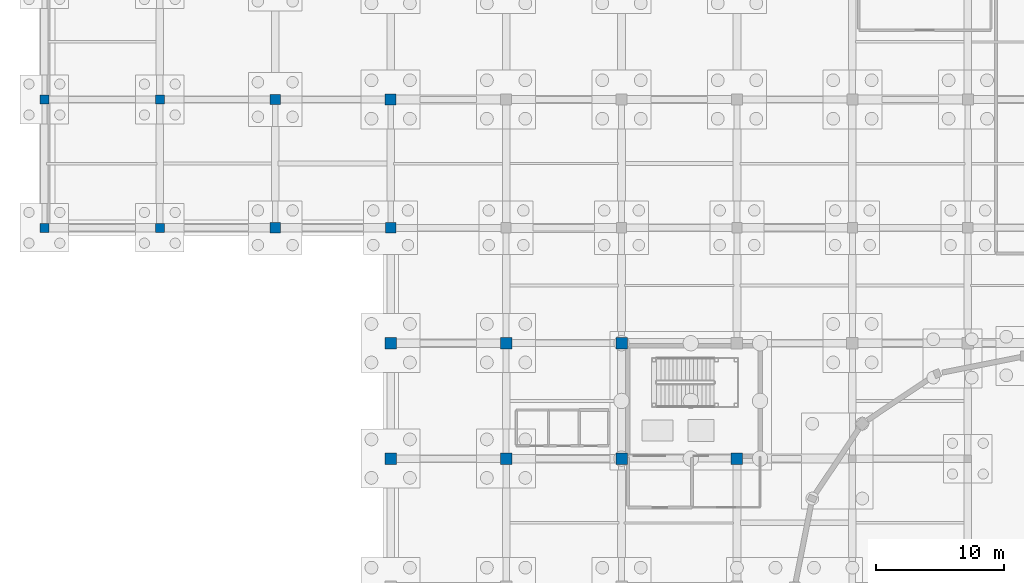
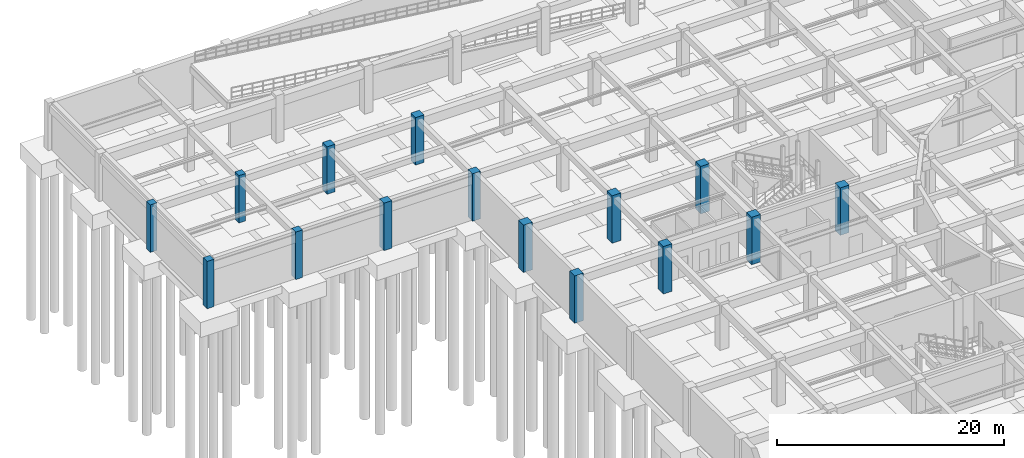
# One storey, part 19 of 62: 15 columns.
"""IFC4 building model written with IfcOpenShell, lengths in metres."""

from ifc_helpers import new_model, si_unit, direction, frame, origin, origin_2d, place, context, subcontext, project, spatial, rectangle, extrude, material, material_profile, profile_set, type_object, element, save


model = new_model("IFC4")

# Units and contexts
model_context = context("Model", 3, precision=1e-05, world=origin(), true_north=direction((0.0, 1.0)))
body_context = subcontext(model_context, "Body", "Model", "MODEL_VIEW")
ifc_project = project(units=[si_unit("LENGTHUNIT", "METRE"), si_unit("AREAUNIT", "SQUARE_METRE"), si_unit("VOLUMEUNIT", "CUBIC_METRE"), si_unit("PLANEANGLEUNIT", "RADIAN"), si_unit("MASSUNIT", "GRAM", prefix="KILO")], contexts=[model_context])

# Site, building, storey
site_placement = place(None, origin())
site = spatial("IfcSite", under=ifc_project, at=site_placement, CompositionType="ELEMENT")
building_placement = place(site_placement, origin())
building = spatial("IfcBuilding", under=site, at=building_placement, Name="Miravela Opera House", CompositionType="ELEMENT")
storey_placement = place(building_placement, frame((0.0, 0.0, -5.10009765625)))
storey = spatial("IfcBuildingStorey", under=building, at=storey_placement, Name="B01", CompositionType="ELEMENT", Elevation=-5.10009765625)

# Columns
ifc_material_1 = material(Name="Concrete C35/45", Category="concrete")
ifc_material_profile_1 = material_profile(ifc_material_1, rectangle(XDim=0.699951171875, YDim=0.699951171875, at=origin_2d()), Name="RC-COL-700X700")
ifc_profile_set_1 = profile_set([ifc_material_profile_1])
column_type_1 = type_object("IfcColumnType", Name="STR-COL-RC700", PredefinedType="COLUMN", material=ifc_profile_set_1)
for number, where, z_axis, x_axis, name in (
    (1, (0.0, 84.0, 0.0), (0.0, 0.0, 1.0), (1.0, 0.0, 0.0), "Column C-1J (B01)"),
    (2, (0.0, 94.0, 0.0), (0.0, 0.0, 1.0), (1.0, 0.0, 0.0), "Column C-1K (B01)"),
    (3, (9.0, 84.0, 0.0), (0.0, 0.0, 1.0), (1.0, 0.0, 0.0), "Column C-2J (B01)"),
    (4, (9.0, 94.0, 0.0), (0.0, 0.0, 1.0), (1.0, 0.0, 0.0), "Column C-2K (B01)"),
):
    element("IfcColumn", number, at=place(storey_placement, frame(where, z_axis=z_axis, x_axis=x_axis)), inside=storey, type_object=column_type_1, Name=name, PredefinedType="COLUMN", context=body_context, shape_type="SweptSolid", body=[
        extrude(rectangle(XDim=0.699951171875, YDim=0.699951171875, at=origin_2d()), origin(), (0.0, 0.0, 1.0), 5.10009765625),
    ])
ifc_material_2 = material(Name="Concrete C40/50", Category="concrete")
ifc_material_profile_2 = material_profile(ifc_material_2, rectangle(XDim=0.800048828125, YDim=0.800048828125, at=origin_2d()), Name="RC-COL-800X800")
ifc_profile_set_2 = profile_set([ifc_material_profile_2])
column_type_2 = type_object("IfcColumnType", Name="STR-COL-RC800", PredefinedType="COLUMN", material=ifc_profile_set_2)
for number, where, z_axis, x_axis, name in (
    (5, (18.0, 84.0, 0.0), (0.0, 0.0, 1.0), (1.0, 0.0, 0.0), "Column C-3J (B01)"),
    (6, (18.0, 94.0, 0.0), (0.0, 0.0, 1.0), (1.0, 0.0, 0.0), "Column C-3K (B01)"),
    (7, (27.0, 84.0, 0.0), (0.0, 0.0, 1.0), (1.0, 0.0, 0.0), "Column C-4J (B01)"),
):
    element("IfcColumn", number, at=place(storey_placement, frame(where, z_axis=z_axis, x_axis=x_axis)), inside=storey, type_object=column_type_2, Name=name, PredefinedType="COLUMN", context=body_context, shape_type="SweptSolid", body=[
        extrude(rectangle(XDim=0.800048828125, YDim=0.800048828125, at=origin_2d()), origin(), (0.0, 0.0, 1.0), 5.10009765625),
    ])
ifc_material_profile_3 = material_profile(ifc_material_2, rectangle(XDim=0.85009765625, YDim=0.85009765625, at=origin_2d()), Name="RC-COL-850X850")
ifc_profile_set_3 = profile_set([ifc_material_profile_3])
column_type_3 = type_object("IfcColumnType", Name="STR-COL-RC850", PredefinedType="COLUMN", material=ifc_profile_set_3)
column_placement = place(storey_placement, frame((27.0, 94.0, 0.0), z_axis=(0.0, 0.0, 1.0), x_axis=(1.0, 0.0, 0.0)))
element("IfcColumn", 8, at=column_placement, inside=storey, type_object=column_type_3, Name="Column C-4K (B01)", PredefinedType="COLUMN", context=body_context, shape_type="SweptSolid", body=[
    extrude(rectangle(XDim=0.85009765625, YDim=0.85009765625, at=origin_2d()), origin(), (0.0, 0.0, 1.0), 5.10009765625),
])
ifc_material_profile_4 = material_profile(ifc_material_2, rectangle(XDim=0.89990234375, YDim=0.89990234375, at=origin_2d()), Name="RC-COL-900X900")
ifc_profile_set_4 = profile_set([ifc_material_profile_4])
column_type_4 = type_object("IfcColumnType", Name="STR-COL-RC900", PredefinedType="COLUMN", material=ifc_profile_set_4)
for number, where, z_axis, x_axis, name in (
    (9, (27.0, 66.0, 0.0), (0.0, 0.0, 1.0), (1.0, 0.0, 0.0), "Column C-4H (B01)"),
    (10, (27.0, 75.0, 0.0), (0.0, 0.0, 1.0), (1.0, 0.0, 0.0), "Column C-4I (B01)"),
    (11, (36.0, 66.0, 0.0), (0.0, 0.0, 1.0), (1.0, 0.0, 0.0), "Column C-5H (B01)"),
    (12, (36.0, 75.0, 0.0), (0.0, 0.0, 1.0), (1.0, 0.0, 0.0), "Column C-5I (B01)"),
    (13, (45.0, 66.0, 0.0), (0.0, 0.0, 1.0), (1.0, 0.0, 0.0), "Column C-6H (B01)"),
    (14, (45.0, 75.0, 0.0), (0.0, 0.0, 1.0), (1.0, 0.0, 0.0), "Column C-6I (B01)"),
    (15, (54.0, 66.0, 0.0), (0.0, 0.0, 1.0), (1.0, 0.0, 0.0), "Column C-7H (B01)"),
):
    element("IfcColumn", number, at=place(storey_placement, frame(where, z_axis=z_axis, x_axis=x_axis)), inside=storey, type_object=column_type_4, Name=name, PredefinedType="COLUMN", context=body_context, shape_type="SweptSolid", body=[
        extrude(rectangle(XDim=0.89990234375, YDim=0.89990234375, at=origin_2d()), origin(), (0.0, 0.0, 1.0), 5.10009765625),
    ])

save(model, "model.ifc")
